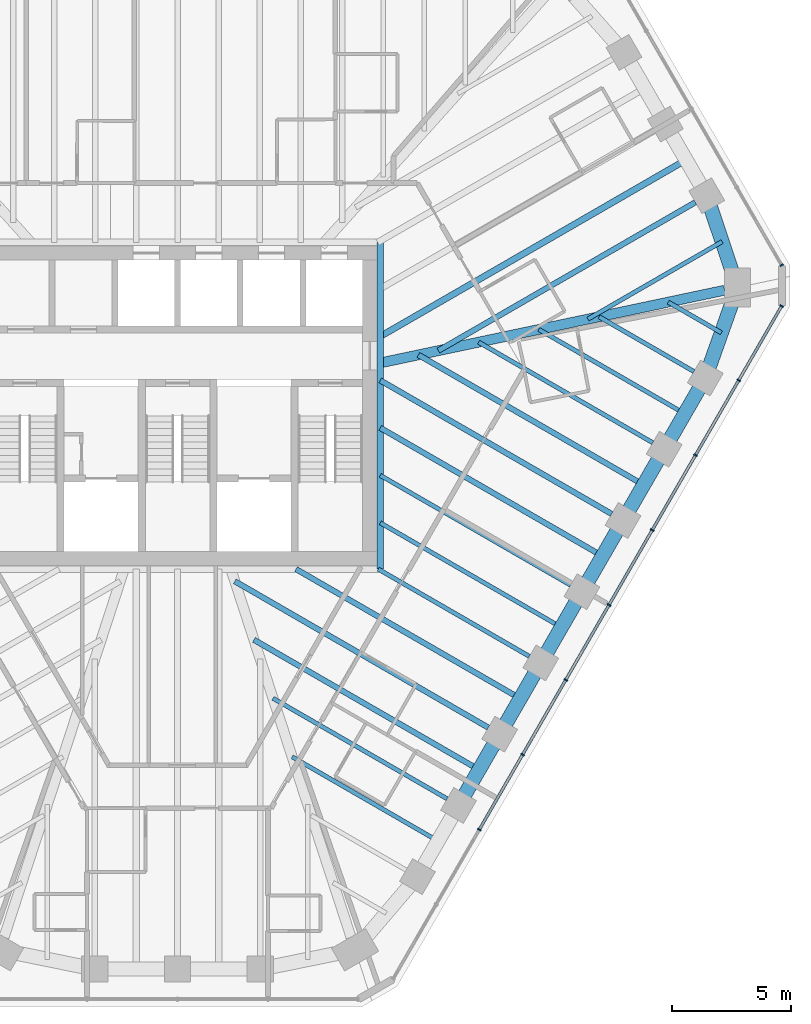
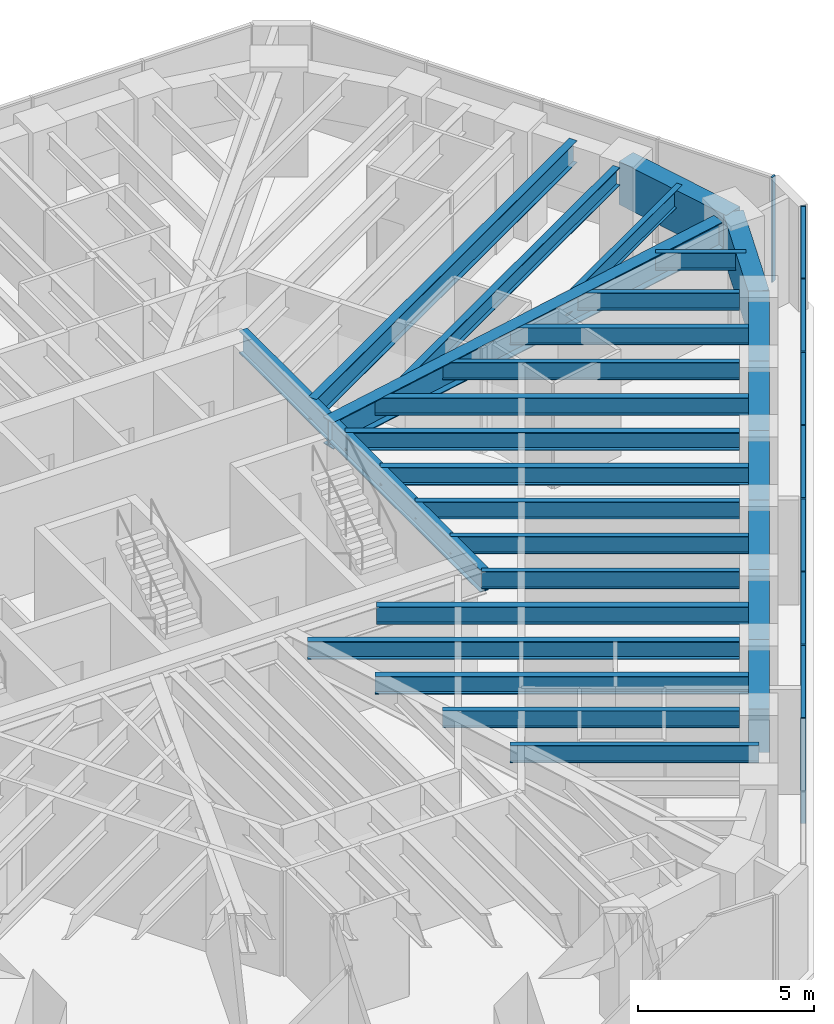
# One storey, part 5 of 14: 28 beams, 16 members, 2 elements without a shape of their own.
"""IFC4 building model written with IfcOpenShell, lengths in metres."""

from ifc_helpers import new_model, si_unit, direction, frame, origin, origin_2d, place, context, subcontext, project, spatial, rectangle, i_section, extrude, material, material_profile, profile_set, type_object, element, aggregate, save


model = new_model("IFC4")

# Units and contexts
model_context = context("Model", 3, precision=1e-05, world=origin(), true_north=direction((0.0, 1.0)))
body_context = subcontext(model_context, "Body", "Model", "MODEL_VIEW")
ifc_project = project(units=[si_unit("LENGTHUNIT", "METRE"), si_unit("AREAUNIT", "SQUARE_METRE"), si_unit("VOLUMEUNIT", "CUBIC_METRE"), si_unit("PLANEANGLEUNIT", "RADIAN"), si_unit("MASSUNIT", "GRAM", prefix="KILO")], contexts=[model_context])

# Site, building, storey
site_placement = place(None, origin())
site = spatial("IfcSite", under=ifc_project, at=site_placement, CompositionType="ELEMENT")
building_placement = place(site_placement, origin())
building = spatial("IfcBuilding", under=site, at=building_placement, Name="Sandreach Pilgrim Tower", CompositionType="ELEMENT")
storey_placement = place(building_placement, frame((0.0, 0.0, 260.800048828125)))
storey = spatial("IfcBuildingStorey", under=building, at=storey_placement, Name="L65", CompositionType="ELEMENT", Elevation=260.800048828125)

# Curtain wall, member
ifc_material_1 = material(Name="Aluminium framed curtain wall", Category="aluminium")
curtain_wall_type = type_object("IfcCurtainWallType", Name="Suite tower curtain wall", PredefinedType="NOTDEFINED", material=ifc_material_1)
curtain_wall_1_placement = place(storey_placement, origin())
curtain_wall_1 = element("IfcCurtainWall", 1, at=curtain_wall_1_placement, inside=storey, type_object=curtain_wall_type, Name="CW-4 L65 NE", PredefinedType="NOTDEFINED")
ifc_material_2 = material(Name="Aluminium extrusion", Category="aluminium")
ifc_material_profile_1 = material_profile(ifc_material_2, rectangle(XDim=0.06005859375, YDim=0.159912109375, at=origin_2d()), Name="CW-4M 60X160")
ifc_profile_set_1 = profile_set([ifc_material_profile_1], Name="Aluminium extrusion")
member_type_1 = type_object("IfcMemberType", Name="CW-4 mullion", PredefinedType="MULLION", material=ifc_profile_set_1)
member_1_placement = place(storey_placement, frame((25.304443359375, 5.8876953125, 0.0), z_axis=(0.0, 0.0, 1.0), x_axis=(0.5, -0.866025403784, 0.0)))
member_1 = element("IfcMember", 2, at=member_1_placement, type_object=member_type_1, Name="CW-4 mullion 5", PredefinedType="MULLION", context=body_context, shape_type="SweptSolid", body=[
    extrude(rectangle(XDim=0.06005859375, YDim=0.159912109375, at=origin_2d()), origin(), (0.0, 0.0, 1.0), 3.639892578125),
])
aggregate(curtain_wall_1, [member_1])

# Curtain wall, members
curtain_wall_2_placement = place(storey_placement, origin())
curtain_wall_2 = element("IfcCurtainWall", 3, at=curtain_wall_2_placement, inside=storey, type_object=curtain_wall_type, Name="CW-4 L65 SE", PredefinedType="NOTDEFINED")
member_2_placement = place(storey_placement, frame((25.304443359375, 4.175537109375, 0.0), z_axis=(0.0, 0.0, 1.0), x_axis=(-0.5, -0.866025403784, 0.0)))
member_2 = element("IfcMember", 4, at=member_2_placement, type_object=member_type_1, Name="CW-4 mullion 1", PredefinedType="MULLION", context=body_context, shape_type="SweptSolid", body=[
    extrude(rectangle(XDim=0.06005859375, YDim=0.159912109375, at=origin_2d()), origin(), (0.0, 0.0, 1.0), 3.639892578125),
])
member_3_placement = place(storey_placement, frame((23.508544921875, 1.06494140625, 0.0), z_axis=(0.0, 0.0, 1.0), x_axis=(-0.5, -0.866025403784, 0.0)))
member_3 = element("IfcMember", 5, at=member_3_placement, type_object=member_type_1, Name="CW-4 mullion 2", PredefinedType="MULLION", context=body_context, shape_type="SweptSolid", body=[
    extrude(rectangle(XDim=0.06005859375, YDim=0.159912109375, at=origin_2d()), origin(), (0.0, 0.0, 1.0), 3.639892578125),
])
member_4_placement = place(storey_placement, frame((21.697509765625, -2.071533203125, 0.0), z_axis=(0.0, 0.0, 1.0), x_axis=(-0.5, -0.866025403784, 0.0)))
member_4 = element("IfcMember", 6, at=member_4_placement, type_object=member_type_1, Name="CW-4 mullion 3", PredefinedType="MULLION", context=body_context, shape_type="SweptSolid", body=[
    extrude(rectangle(XDim=0.06005859375, YDim=0.159912109375, at=origin_2d()), origin(), (0.0, 0.0, 1.0), 3.639892578125),
])
member_5_placement = place(storey_placement, frame((19.886474609375, -5.208251953125, 0.0), z_axis=(0.0, 0.0, 1.0), x_axis=(-0.5, -0.866025403784, 0.0)))
member_5 = element("IfcMember", 7, at=member_5_placement, type_object=member_type_1, Name="CW-4 mullion 4", PredefinedType="MULLION", context=body_context, shape_type="SweptSolid", body=[
    extrude(rectangle(XDim=0.06005859375, YDim=0.159912109375, at=origin_2d()), origin(), (0.0, 0.0, 1.0), 3.639892578125),
])
member_6_placement = place(storey_placement, frame((18.07568359375, -8.344970703125, 0.0), z_axis=(0.0, 0.0, 1.0), x_axis=(-0.5, -0.866025403784, 0.0)))
member_6 = element("IfcMember", 8, at=member_6_placement, type_object=member_type_1, Name="CW-4 mullion 5", PredefinedType="MULLION", context=body_context, shape_type="SweptSolid", body=[
    extrude(rectangle(XDim=0.06005859375, YDim=0.159912109375, at=origin_2d()), origin(), (0.0, 0.0, 1.0), 3.639892578125),
])
member_7_placement = place(storey_placement, frame((16.2646484375, -11.4814453125, 0.0), z_axis=(0.0, 0.0, 1.0), x_axis=(-0.5, -0.866025403784, 0.0)))
member_7 = element("IfcMember", 9, at=member_7_placement, type_object=member_type_1, Name="CW-4 mullion 6", PredefinedType="MULLION", context=body_context, shape_type="SweptSolid", body=[
    extrude(rectangle(XDim=0.06005859375, YDim=0.159912109375, at=origin_2d()), origin(), (0.0, 0.0, 1.0), 3.639892578125),
])
member_8_placement = place(storey_placement, frame((14.453857421875, -14.6181640625, 0.0), z_axis=(0.0, 0.0, 1.0), x_axis=(-0.5, -0.866025403784, 0.0)))
member_8 = element("IfcMember", 10, at=member_8_placement, type_object=member_type_1, Name="CW-4 mullion 7", PredefinedType="MULLION", context=body_context, shape_type="SweptSolid", body=[
    extrude(rectangle(XDim=0.06005859375, YDim=0.159912109375, at=origin_2d()), origin(), (0.0, 0.0, 1.0), 3.639892578125),
])
member_9_placement = place(storey_placement, frame((12.642822265625, -17.7548828125, 0.0), z_axis=(0.0, 0.0, 1.0), x_axis=(-0.5, -0.866025403784, 0.0)))
member_9 = element("IfcMember", 11, at=member_9_placement, type_object=member_type_1, Name="CW-4 mullion 8", PredefinedType="MULLION", context=body_context, shape_type="SweptSolid", body=[
    extrude(rectangle(XDim=0.06005859375, YDim=0.159912109375, at=origin_2d()), origin(), (0.0, 0.0, 1.0), 3.639892578125),
])
ifc_material_3 = material(Name="Aluminium extrusion", Category="aluminium")
ifc_material_profile_2 = material_profile(ifc_material_3, rectangle(XDim=0.1201171875, YDim=0.070068359375, at=origin_2d()), Name="CW-4T 120X70")
ifc_profile_set_2 = profile_set([ifc_material_profile_2], Name="Aluminium extrusion")
member_type_2 = type_object("IfcMemberType", Name="CW-4 transom", PredefinedType="USERDEFINED", material=ifc_profile_set_2)
member_10_placement = place(storey_placement, frame((25.289306640625, 4.149658203125, 3.60498046875), z_axis=(-0.499997709859, -0.866026725994, 0.0), x_axis=(0.866026725994, -0.499997709859, 0.0)))
member_10 = element("IfcMember", 12, at=member_10_placement, type_object=member_type_2, Name="CW-4 head transom 1", ObjectType="TRANSOM", PredefinedType="USERDEFINED", context=body_context, shape_type="SweptSolid", body=[
    extrude(rectangle(XDim=0.1201171875, YDim=0.070068359375, at=origin_2d()), origin(), (0.0, 0.0, 1.0), 3.53173828125),
])
member_11_placement = place(storey_placement, frame((23.493408203125, 1.0390625, 3.60498046875), z_axis=(-0.500009219579, -0.866020080793, 0.0), x_axis=(0.866020080793, -0.500009219579, 0.0)))
member_11 = element("IfcMember", 13, at=member_11_placement, type_object=member_type_2, Name="CW-4 head transom 2", ObjectType="TRANSOM", PredefinedType="USERDEFINED", context=body_context, shape_type="SweptSolid", body=[
    extrude(rectangle(XDim=0.1201171875, YDim=0.070068359375, at=origin_2d()), origin(), (0.0, 0.0, 1.0), 3.56201171875),
])
member_12_placement = place(storey_placement, frame((21.6826171875, -2.09765625, 3.60498046875), z_axis=(-0.500009219579, -0.866020080793, 0.0), x_axis=(0.866020080793, -0.500009219579, 0.0)))
member_12 = element("IfcMember", 14, at=member_12_placement, type_object=member_type_2, Name="CW-4 head transom 3", ObjectType="TRANSOM", PredefinedType="USERDEFINED", context=body_context, shape_type="SweptSolid", body=[
    extrude(rectangle(XDim=0.1201171875, YDim=0.070068359375, at=origin_2d()), origin(), (0.0, 0.0, 1.0), 3.56201171875),
])
member_13_placement = place(storey_placement, frame((19.87158203125, -5.234375, 3.60498046875), z_axis=(-0.500038900691, -0.866002943295, 0.0), x_axis=(0.866002943295, -0.500038900691, 0.0)))
member_13 = element("IfcMember", 15, at=member_13_placement, type_object=member_type_2, Name="CW-4 head transom 4", ObjectType="TRANSOM", PredefinedType="USERDEFINED", context=body_context, shape_type="SweptSolid", body=[
    extrude(rectangle(XDim=0.1201171875, YDim=0.070068359375, at=origin_2d()), origin(), (0.0, 0.0, 1.0), 3.561767578125),
])
member_14_placement = place(storey_placement, frame((18.060546875, -8.370849609375, 3.60498046875), z_axis=(-0.499957811549, -0.866049759928, 0.0), x_axis=(0.866049759928, -0.499957811549, 0.0)))
member_14 = element("IfcMember", 16, at=member_14_placement, type_object=member_type_2, Name="CW-4 head transom 5", ObjectType="TRANSOM", PredefinedType="USERDEFINED", context=body_context, shape_type="SweptSolid", body=[
    extrude(rectangle(XDim=0.1201171875, YDim=0.070068359375, at=origin_2d()), origin(), (0.0, 0.0, 1.0), 3.561767578125),
])
member_15_placement = place(storey_placement, frame((16.249755859375, -11.507568359375, 3.60498046875), z_axis=(-0.500009219579, -0.866020080793, 0.0), x_axis=(0.866020080793, -0.500009219579, 0.0)))
member_15 = element("IfcMember", 17, at=member_15_placement, type_object=member_type_2, Name="CW-4 head transom 6", ObjectType="TRANSOM", PredefinedType="USERDEFINED", context=body_context, shape_type="SweptSolid", body=[
    extrude(rectangle(XDim=0.1201171875, YDim=0.070068359375, at=origin_2d()), origin(), (0.0, 0.0, 1.0), 3.56201171875),
])
member_16_placement = place(storey_placement, frame((14.438720703125, -14.64404296875, 3.60498046875), z_axis=(-0.499957811549, -0.866049759928, 0.0), x_axis=(0.866049759928, -0.499957811549, 0.0)))
member_16 = element("IfcMember", 18, at=member_16_placement, type_object=member_type_2, Name="CW-4 head transom 7", ObjectType="TRANSOM", PredefinedType="USERDEFINED", context=body_context, shape_type="SweptSolid", body=[
    extrude(rectangle(XDim=0.1201171875, YDim=0.070068359375, at=origin_2d()), origin(), (0.0, 0.0, 1.0), 3.561767578125),
])
aggregate(curtain_wall_2, [member_2, member_3, member_4, member_5, member_6, member_7, member_8, member_9, member_10, member_11, member_12, member_13, member_14, member_15, member_16])

# Beams
ifc_material_4 = material(Name="Steel ASTM A992 Grade 50", Category="steel")
ifc_material_profile_3 = material_profile(ifc_material_4, i_section(OverallWidth=0.2666015625, OverallDepth=0.77978515625, WebThickness=0.0166015625, FlangeThickness=0.030029296875, at=origin_2d()), Name="W30X148")
ifc_profile_set_3 = profile_set([ifc_material_profile_3], Name="Steel ASTM A992 Grade 50")
beam_type_1 = type_object("IfcBeamType", Name="Core edge beam W30X148", PredefinedType="BEAM", material=ifc_profile_set_3)
beam_1_placement = place(storey_placement, frame((8.493408203125, 6.84326171875, 3.25), z_axis=(0.0, -1.0, 0.0), x_axis=(1.0, 0.0, 0.0)))
element("IfcBeam", 19, at=beam_1_placement, inside=storey, type_object=beam_type_1, Name="BM L65 CEE", PredefinedType="BEAM", context=body_context, shape_type="SweptSolid", body=[
    extrude(i_section(OverallWidth=0.2666015625, OverallDepth=0.77978515625, WebThickness=0.0166015625, FlangeThickness=0.030029296875, at=origin_2d()), origin(), (0.0, 0.0, 1.0), 13.6865234375),
])
ifc_material_5 = material(Name="Steel ASTM A992 Grade 50", Category="steel")
ifc_material_profile_4 = material_profile(ifc_material_5, i_section(OverallWidth=0.419189453125, OverallDepth=0.927001953125, WebThickness=0.019287109375, FlangeThickness=0.031982421875, at=origin_2d()), Name="W36X231")
ifc_profile_set_4 = profile_set([ifc_material_profile_4], Name="Steel ASTM A992 Grade 50")
beam_type_2 = type_object("IfcBeamType", Name="Corner girder W36X231", PredefinedType="BEAM", material=ifc_profile_set_4)
beam_2_placement = place(storey_placement, frame((22.917724609375, 4.838623046875, 3.176513671875), z_axis=(-0.978430270369, -0.206577360876, 0.0), x_axis=(0.206577360876, -0.978430270369, 0.0)))
element("IfcBeam", 20, at=beam_2_placement, inside=storey, type_object=beam_type_2, Name="BM L65 CG13", PredefinedType="BEAM", context=body_context, shape_type="SweptSolid", body=[
    extrude(i_section(OverallWidth=0.419189453125, OverallDepth=0.927001953125, WebThickness=0.019287109375, FlangeThickness=0.031982421875, at=origin_2d()), origin(), (0.0, 0.0, 1.0), 14.888671875),
])
ifc_material_6 = material(Name="Steel ASTM A992 Grade 50", Category="steel")
ifc_material_profile_5 = material_profile(ifc_material_6, i_section(OverallWidth=0.1787109375, OverallDepth=0.60205078125, WebThickness=0.010986328125, FlangeThickness=0.014892578125, at=origin_2d()), Name="W24X62")
ifc_profile_set_5 = profile_set([ifc_material_profile_5], Name="Steel ASTM A992 Grade 50")
beam_type_3 = type_object("IfcBeamType", Name="Floor beam W24X62", PredefinedType="BEAM", material=ifc_profile_set_5)
beam_3_placement = place(storey_placement, frame((21.631591796875, 1.433837890625, 3.3388671875), z_axis=(-0.866037621819, 0.499978837146, 0.0), x_axis=(-0.499978837146, -0.866037621819, 0.0)))
element("IfcBeam", 21, at=beam_3_placement, inside=storey, type_object=beam_type_3, Name="BM L65 F14", PredefinedType="BEAM", context=body_context, shape_type="SweptSolid", body=[
    extrude(i_section(OverallWidth=0.1787109375, OverallDepth=0.60205078125, WebThickness=0.010986328125, FlangeThickness=0.014892578125, at=origin_2d()), origin(), (0.0, 0.0, 1.0), 4.588623046875),
])
beam_4_placement = place(storey_placement, frame((19.908935546875, -1.549560546875, 3.3388671875), z_axis=(-0.866026819143, 0.499997548519, 0.0), x_axis=(-0.499997548519, -0.866026819143, 0.0)))
element("IfcBeam", 22, at=beam_4_placement, inside=storey, type_object=beam_type_3, Name="BM L65 F15", PredefinedType="BEAM", context=body_context, shape_type="SweptSolid", body=[
    extrude(i_section(OverallWidth=0.1787109375, OverallDepth=0.60205078125, WebThickness=0.010986328125, FlangeThickness=0.014892578125, at=origin_2d()), origin(), (0.0, 0.0, 1.0), 8.4248046875),
])
beam_5_placement = place(storey_placement, frame((16.4638671875, -7.516357421875, 3.3388671875), z_axis=(-0.866022580836, 0.500004889459, 0.0), x_axis=(-0.500004889459, -0.866022580836, 0.0)))
element("IfcBeam", 23, at=beam_5_placement, inside=storey, type_object=beam_type_3, Name="BM L65 F17", PredefinedType="BEAM", context=body_context, shape_type="SweptSolid", body=[
    extrude(i_section(OverallWidth=0.1787109375, OverallDepth=0.60205078125, WebThickness=0.010986328125, FlangeThickness=0.014892578125, at=origin_2d()), origin(), (0.0, 0.0, 1.0), 9.20361328125),
])
beam_6_placement = place(storey_placement, frame((14.741455078125, -10.5, 3.3388671875), z_axis=(-0.866019920622, 0.500009496996, 0.0), x_axis=(-0.500009496996, -0.866019920622, 0.0)))
element("IfcBeam", 24, at=beam_6_placement, inside=storey, type_object=beam_type_3, Name="BM L65 F18", PredefinedType="BEAM", context=body_context, shape_type="SweptSolid", body=[
    extrude(i_section(OverallWidth=0.1787109375, OverallDepth=0.60205078125, WebThickness=0.010986328125, FlangeThickness=0.014892578125, at=origin_2d()), origin(), (0.0, 0.0, 1.0), 7.313232421875),
])
beam_7_placement = place(storey_placement, frame((11.29638671875, -16.466796875, 3.3388671875), z_axis=(-0.866026819143, 0.499997548519, 0.0), x_axis=(-0.499997548519, -0.866026819143, 0.0)))
element("IfcBeam", 25, at=beam_7_placement, inside=storey, type_object=beam_type_3, Name="BM L65 F20", PredefinedType="BEAM", context=body_context, shape_type="SweptSolid", body=[
    extrude(i_section(OverallWidth=0.1787109375, OverallDepth=0.60205078125, WebThickness=0.010986328125, FlangeThickness=0.014892578125, at=origin_2d()), origin(), (0.0, 0.0, 1.0), 8.4248046875),
])
beam_8_placement = place(storey_placement, frame((22.8125, 6.875, 3.3388671875), z_axis=(-0.866023980233, -0.500002465655, 0.0), x_axis=(0.500002465655, -0.866023980233, 0.0)))
element("IfcBeam", 26, at=beam_8_placement, inside=storey, type_object=beam_type_3, Name="BM L65 FM12", PredefinedType="BEAM", context=body_context, shape_type="SweptSolid", body=[
    extrude(i_section(OverallWidth=0.1787109375, OverallDepth=0.60205078125, WebThickness=0.010986328125, FlangeThickness=0.014892578125, at=origin_2d()), origin(), (0.0, 0.0, 1.0), 6.49072265625),
])
beam_9_placement = place(storey_placement, frame((22.78173828125, 3.0556640625, 3.3388671875), z_axis=(-0.8660004255, 0.500043261163, 0.0), x_axis=(-0.500043261163, -0.8660004255, 0.0)))
element("IfcBeam", 27, at=beam_9_placement, inside=storey, type_object=beam_type_3, Name="BM L65 FM13", PredefinedType="BEAM", context=body_context, shape_type="SweptSolid", body=[
    extrude(i_section(OverallWidth=0.1787109375, OverallDepth=0.60205078125, WebThickness=0.010986328125, FlangeThickness=0.014892578125, at=origin_2d()), origin(), (0.0, 0.0, 1.0), 2.569091796875),
])
beam_10_placement = place(storey_placement, frame((21.24658203125, -0.332763671875, 3.3388671875), z_axis=(-0.866028878405, 0.499993981732, 0.0), x_axis=(-0.499993981732, -0.866028878405, 0.0)))
element("IfcBeam", 28, at=beam_10_placement, inside=storey, type_object=beam_type_3, Name="BM L65 FM14", PredefinedType="BEAM", context=body_context, shape_type="SweptSolid", body=[
    extrude(i_section(OverallWidth=0.1787109375, OverallDepth=0.60205078125, WebThickness=0.010986328125, FlangeThickness=0.014892578125, at=origin_2d()), origin(), (0.0, 0.0, 1.0), 7.056640625),
])
beam_11_placement = place(storey_placement, frame((16.0791015625, -9.283203125, 3.3388671875), z_axis=(-0.866023595995, 0.500003131169, 0.0), x_axis=(-0.500003131169, -0.866023595995, 0.0)))
element("IfcBeam", 29, at=beam_11_placement, inside=storey, type_object=beam_type_3, Name="BM L65 FM17", PredefinedType="BEAM", context=body_context, shape_type="SweptSolid", body=[
    extrude(i_section(OverallWidth=0.1787109375, OverallDepth=0.60205078125, WebThickness=0.010986328125, FlangeThickness=0.014892578125, at=origin_2d()), origin(), (0.0, 0.0, 1.0), 8.75927734375),
])
beam_12_placement = place(storey_placement, frame((10.911376953125, -18.233642578125, 3.3388671875), z_axis=(-0.866020229007, 0.50000896287, 0.0), x_axis=(-0.50000896287, -0.866020229007, 0.0)))
element("IfcBeam", 30, at=beam_12_placement, inside=storey, type_object=beam_type_3, Name="BM L65 FM20", PredefinedType="BEAM", context=body_context, shape_type="SweptSolid", body=[
    extrude(i_section(OverallWidth=0.1787109375, OverallDepth=0.60205078125, WebThickness=0.010986328125, FlangeThickness=0.014892578125, at=origin_2d()), origin(), (0.0, 0.0, 1.0), 7.056396484375),
])
ifc_material_7 = material(Name="Steel ASTM A992 Grade 50", Category="steel")
ifc_material_profile_6 = material_profile(ifc_material_7, i_section(OverallWidth=0.23046875, OverallDepth=0.6171875, WebThickness=0.01318359375, FlangeThickness=0.022216796875, at=origin_2d()), Name="W24X94")
ifc_profile_set_6 = profile_set([ifc_material_profile_6], Name="Steel ASTM A992 Grade 50")
beam_type_4 = type_object("IfcBeamType", Name="Floor beam W24X94", PredefinedType="BEAM", material=ifc_profile_set_6)
beam_13_placement = place(storey_placement, frame((21.69287109375, 8.522705078125, 3.331298828125), z_axis=(-0.866028931402, -0.499993889937, 0.0), x_axis=(0.499993889937, -0.866028931402, 0.0)))
element("IfcBeam", 31, at=beam_13_placement, inside=storey, type_object=beam_type_4, Name="BM L65 F12", PredefinedType="BEAM", context=body_context, shape_type="SweptSolid", body=[
    extrude(i_section(OverallWidth=0.23046875, OverallDepth=0.6171875, WebThickness=0.01318359375, FlangeThickness=0.022216796875, at=origin_2d()), origin(), (0.0, 0.0, 1.0), 12.431396484375),
])
beam_14_placement = place(storey_placement, frame((18.1865234375, -4.532958984375, 3.331298828125), z_axis=(-0.866030482771, 0.499991202833, 0.0), x_axis=(-0.499991202833, -0.866030482771, 0.0)))
element("IfcBeam", 32, at=beam_14_placement, inside=storey, type_object=beam_type_4, Name="BM L65 F16", PredefinedType="BEAM", context=body_context, shape_type="SweptSolid", body=[
    extrude(i_section(OverallWidth=0.23046875, OverallDepth=0.6171875, WebThickness=0.01318359375, FlangeThickness=0.022216796875, at=origin_2d()), origin(), (0.0, 0.0, 1.0), 11.192626953125),
])
beam_15_placement = place(storey_placement, frame((13.018798828125, -13.4833984375, 3.331298828125), z_axis=(-0.866019132277, 0.500010862412, 0.0), x_axis=(-0.500010862412, -0.866019132277, 0.0)))
element("IfcBeam", 33, at=beam_15_placement, inside=storey, type_object=beam_type_4, Name="BM L65 F19", PredefinedType="BEAM", context=body_context, shape_type="SweptSolid", body=[
    extrude(i_section(OverallWidth=0.23046875, OverallDepth=0.6171875, WebThickness=0.01318359375, FlangeThickness=0.022216796875, at=origin_2d()), origin(), (0.0, 0.0, 1.0), 12.261474609375),
])
beam_16_placement = place(storey_placement, frame((19.52392578125, -3.316162109375, 3.331298828125), z_axis=(-0.866029205616, 0.499993414976, 0.0), x_axis=(-0.499993414976, -0.866029205616, 0.0)))
element("IfcBeam", 34, at=beam_16_placement, inside=storey, type_object=beam_type_4, Name="BM L65 FM15", PredefinedType="BEAM", context=body_context, shape_type="SweptSolid", body=[
    extrude(i_section(OverallWidth=0.23046875, OverallDepth=0.6171875, WebThickness=0.01318359375, FlangeThickness=0.022216796875, at=origin_2d()), origin(), (0.0, 0.0, 1.0), 10.893310546875),
])
beam_17_placement = place(storey_placement, frame((17.801513671875, -6.2998046875, 3.331298828125), z_axis=(-0.866025958161, 0.49999903979, 0.0), x_axis=(-0.49999903979, -0.866025958161, 0.0)))
element("IfcBeam", 35, at=beam_17_placement, inside=storey, type_object=beam_type_4, Name="BM L65 FM16", PredefinedType="BEAM", context=body_context, shape_type="SweptSolid", body=[
    extrude(i_section(OverallWidth=0.23046875, OverallDepth=0.6171875, WebThickness=0.01318359375, FlangeThickness=0.022216796875, at=origin_2d()), origin(), (0.0, 0.0, 1.0), 10.748046875),
])
beam_18_placement = place(storey_placement, frame((14.3564453125, -12.2666015625, 3.331298828125), z_axis=(-0.866026660645, 0.499997823047, 0.0), x_axis=(-0.499997823047, -0.866026660645, 0.0)))
element("IfcBeam", 36, at=beam_18_placement, inside=storey, type_object=beam_type_4, Name="BM L65 FM18", PredefinedType="BEAM", context=body_context, shape_type="SweptSolid", body=[
    extrude(i_section(OverallWidth=0.23046875, OverallDepth=0.6171875, WebThickness=0.01318359375, FlangeThickness=0.022216796875, at=origin_2d()), origin(), (0.0, 0.0, 1.0), 10.8466796875),
])
beam_19_placement = place(storey_placement, frame((12.634033203125, -15.250244140625, 3.331298828125), z_axis=(-0.866019500887, 0.500010223979, 0.0), x_axis=(-0.500010223979, -0.866019500887, 0.0)))
element("IfcBeam", 37, at=beam_19_placement, inside=storey, type_object=beam_type_4, Name="BM L65 FM19", PredefinedType="BEAM", context=body_context, shape_type="SweptSolid", body=[
    extrude(i_section(OverallWidth=0.23046875, OverallDepth=0.6171875, WebThickness=0.01318359375, FlangeThickness=0.022216796875, at=origin_2d()), origin(), (0.0, 0.0, 1.0), 10.893310546875),
])
ifc_material_8 = material(Name="Steel ASTM A992 Grade 50", Category="steel")
ifc_material_profile_7 = material_profile(ifc_material_8, i_section(OverallWidth=0.2666015625, OverallDepth=0.761962890625, WebThickness=0.014404296875, FlangeThickness=0.021484375, at=origin_2d()), Name="W30X116")
ifc_profile_set_7 = profile_set([ifc_material_profile_7], Name="Steel ASTM A992 Grade 50")
beam_type_5 = type_object("IfcBeamType", Name="Floor beam W30X116", PredefinedType="BEAM", material=ifc_profile_set_7)
beam_20_placement = place(storey_placement, frame((21.302978515625, 10.29833984375, 3.259033203125), z_axis=(-0.866028362181, -0.499994875871, 0.0), x_axis=(0.499994875871, -0.866028362181, 0.0)))
element("IfcBeam", 38, at=beam_20_placement, inside=storey, type_object=beam_type_5, Name="BM L65 FM11", PredefinedType="BEAM", context=body_context, shape_type="SweptSolid", body=[
    extrude(i_section(OverallWidth=0.2666015625, OverallDepth=0.761962890625, WebThickness=0.014404296875, FlangeThickness=0.021484375, at=origin_2d()), origin(), (0.0, 0.0, 1.0), 14.791259765625),
])
ifc_material_9 = material(Name="Concrete 10000 psi", Category="concrete")
ifc_material_profile_8 = material_profile(ifc_material_9, rectangle(XDim=0.60009765625, YDim=1.5, at=origin_2d()), Name="RC600X1500")
ifc_profile_set_8 = profile_set([ifc_material_profile_8], Name="Concrete 10000 psi")
beam_type_6 = type_object("IfcBeamType", Name="Spandrel beam RC600X1500", PredefinedType="SPANDREL", material=ifc_profile_set_8)
beam_21_placement = place(storey_placement, frame((22.169189453125, 8.7978515625, 2.889892578125), z_axis=(0.317293238289, -0.948327475578, 0.0), x_axis=(0.948327475578, 0.317293238289, 0.0)))
element("IfcBeam", 39, at=beam_21_placement, inside=storey, type_object=beam_type_6, Name="BM L65 SP12", PredefinedType="SPANDREL", context=body_context, shape_type="SweptSolid", body=[
    extrude(rectangle(XDim=0.60009765625, YDim=1.5, at=origin_2d()), origin(), (0.0, 0.0, 1.0), 4.054931640625),
])
beam_22_placement = place(storey_placement, frame((23.455810546875, 4.952392578125, 2.889892578125), z_axis=(-0.33481464839, -0.94228400773, 0.0), x_axis=(0.94228400773, -0.33481464839, 0.0)))
element("IfcBeam", 40, at=beam_22_placement, inside=storey, type_object=beam_type_6, Name="BM L65 SP13", PredefinedType="SPANDREL", context=body_context, shape_type="SweptSolid", body=[
    extrude(rectangle(XDim=0.60009765625, YDim=1.5, at=origin_2d()), origin(), (0.0, 0.0, 1.0), 4.02587890625),
])
for number, where, z_axis, x_axis, name in (
    (41, (22.10791015625, 1.158935546875, 2.889892578125), (-0.500041441558, -0.866001476168, 0.0), (0.866001476168, -0.500041441558, 0.0), "BM L65 SP14"),
    (42, (20.38525390625, -1.824462890625, 2.889892578125), (-0.499957605418, -0.866049878924, 0.0), (0.866049878924, -0.499957605418, 0.0), "BM L65 SP15"),
    (43, (18.662841796875, -4.80810546875, 2.889892578125), (-0.500041441558, -0.866001476168, 0.0), (0.866001476168, -0.500041441558, 0.0), "BM L65 SP16"),
):
    element("IfcBeam", number, at=place(storey_placement, frame(where, z_axis=z_axis, x_axis=x_axis)), inside=storey, type_object=beam_type_6, Name=name, PredefinedType="SPANDREL", context=body_context, shape_type="SweptSolid", body=[
        extrude(rectangle(XDim=0.60009765625, YDim=1.5, at=origin_2d()), origin(), (0.0, 0.0, 1.0), 3.445068359375),
    ])
beam_23_placement = place(storey_placement, frame((16.940185546875, -7.79150390625, 2.889892578125), z_axis=(-0.499988291006, -0.866032163869, 0.0), x_axis=(0.866032163869, -0.499988291006, 0.0)))
element("IfcBeam", 44, at=beam_23_placement, inside=storey, type_object=beam_type_6, Name="BM L65 SP17", PredefinedType="SPANDREL", context=body_context, shape_type="SweptSolid", body=[
    extrude(rectangle(XDim=0.60009765625, YDim=1.5, at=origin_2d()), origin(), (0.0, 0.0, 1.0), 3.44482421875),
])
beam_24_placement = place(storey_placement, frame((15.2177734375, -10.77490234375, 2.889892578125), z_axis=(-0.500010754882, -0.866019194361, 0.0), x_axis=(0.866019194361, -0.500010754882, 0.0)))
element("IfcBeam", 45, at=beam_24_placement, inside=storey, type_object=beam_type_6, Name="BM L65 SP18", PredefinedType="SPANDREL", context=body_context, shape_type="SweptSolid", body=[
    extrude(rectangle(XDim=0.60009765625, YDim=1.5, at=origin_2d()), origin(), (0.0, 0.0, 1.0), 3.4453125),
])
beam_25_placement = place(storey_placement, frame((13.4951171875, -13.758544921875, 2.889892578125), z_axis=(-0.499988291006, -0.866032163869, 0.0), x_axis=(0.866032163869, -0.499988291006, 0.0)))
element("IfcBeam", 46, at=beam_25_placement, inside=storey, type_object=beam_type_6, Name="BM L65 SP19", PredefinedType="SPANDREL", context=body_context, shape_type="SweptSolid", body=[
    extrude(rectangle(XDim=0.60009765625, YDim=1.5, at=origin_2d()), origin(), (0.0, 0.0, 1.0), 3.44482421875),
])

save(model, "model.ifc")
